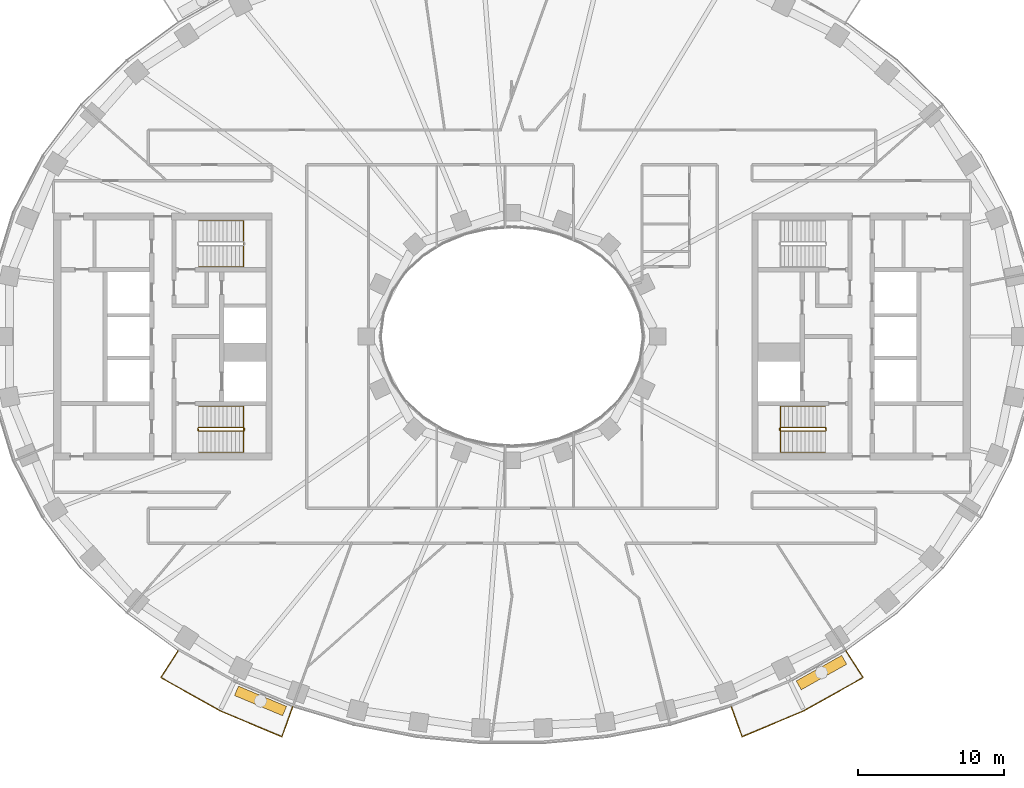
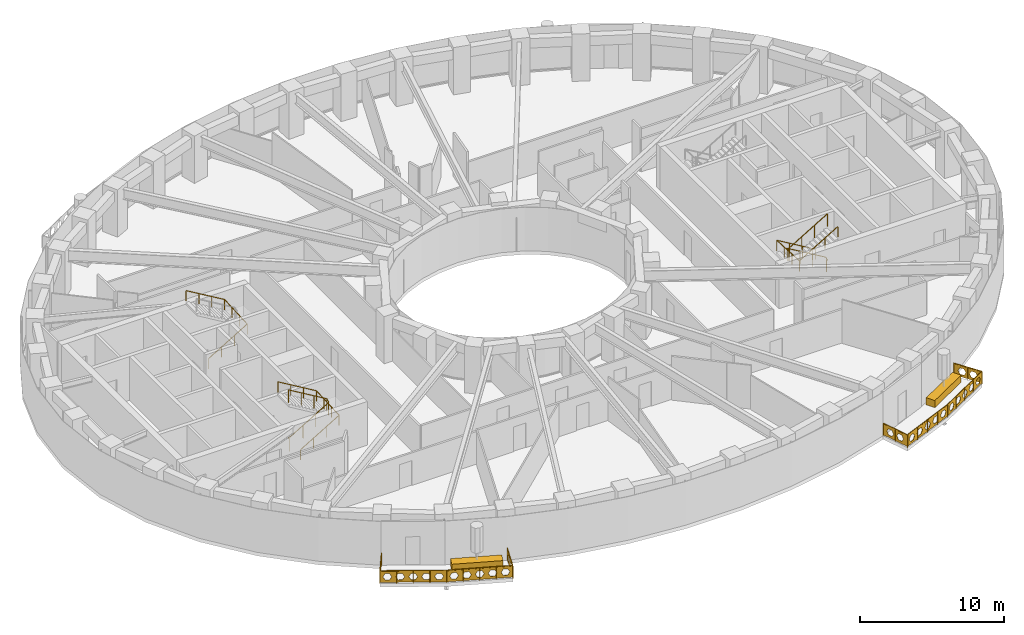
# One storey, part 13 of 15: 7 railings, 2 coverings.
"""IFC4 building model written with IfcOpenShell, lengths in metres."""

from ifc_helpers import new_model, si_unit, direction, frame, origin, origin_2d, place, context, subcontext, project, spatial, polyline, rectangle, outline, extrude, material, type_object, element, save


model = new_model("IFC4")

# Units and contexts
model_context = context("Model", 3, precision=1e-05, world=origin(), true_north=direction((0.0, 1.0)))
body_context = subcontext(model_context, "Body", "Model", "MODEL_VIEW")
ifc_project = project(units=[si_unit("LENGTHUNIT", "METRE"), si_unit("AREAUNIT", "SQUARE_METRE"), si_unit("VOLUMEUNIT", "CUBIC_METRE"), si_unit("PLANEANGLEUNIT", "RADIAN"), si_unit("MASSUNIT", "GRAM", prefix="KILO")], contexts=[model_context])

# Site, building, storey
site_placement = place(None, origin())
site = spatial("IfcSite", under=ifc_project, at=site_placement, CompositionType="ELEMENT")
building_placement = place(site_placement, origin())
building = spatial("IfcBuilding", under=site, at=building_placement, Name="Noorbagh Ring Tower", CompositionType="ELEMENT")
storey_placement = place(building_placement, frame((0.0, 0.0, 128.0)))
storey = spatial("IfcBuildingStorey", under=building, at=storey_placement, Name="L29", CompositionType="ELEMENT", Elevation=128.0)

# Railings
ifc_material_1 = material(Name="Stainless steel", Category="steel")
railing_type_1 = type_object("IfcRailingType", Name="CORE-STAIR-GUARD", PredefinedType="GUARDRAIL", material=ifc_material_1)
railing_1_placement = place(storey_placement, frame((-21.580078125, -6.449951171875, 0.0)))
element("IfcRailing", 1, at=railing_1_placement, inside=storey, type_object=railing_type_1, Name="L29 ST2 stair guard", PredefinedType="GUARDRAIL", context=body_context, shape_type="SweptSolid", body=[
    extrude(rectangle(XDim=0.048095703125, YDim=0.048095703125, at=origin_2d()), frame((0.0, 0.0, 1.076171875), z_axis=(0.0, 1.0, 0.0), x_axis=(-1.0, 0.0, 0.0)), (0.0, 0.0, 1.0), 0.14990234375),
    extrude(rectangle(XDim=0.048095703125, YDim=0.048095703125, at=origin_2d()), frame((0.0, 0.14990234375, 1.076171875), z_axis=(0.188775798145, -0.754182335027, 0.628945707965), x_axis=(0.970072785993, 0.242814311512, 0.0)), (0.0, 0.0, 1.0), 0.26513671875),
    extrude(rectangle(XDim=0.048095703125, YDim=0.048095703125, at=origin_2d()), frame((0.050048828125, -0.050048828125, 1.24267578125), z_axis=(0.859308565015, 0.0, 0.511457515432), x_axis=(0.0, 1.0, 0.0)), (0.0, 0.0, 1.0), 3.58447265625),
    extrude(rectangle(XDim=0.048095703125, YDim=0.048095703125, at=origin_2d()), frame((3.130126953125, -0.050048828125, 3.076171875), z_axis=(0.707106781187, 0.707106781187, 0.0), x_axis=(-0.707106781187, 0.707106781187, 0.0)), (0.0, 0.0, 1.0), 0.07080078125),
    extrude(rectangle(XDim=0.048095703125, YDim=0.048095703125, at=origin_2d()), frame((3.18017578125, 0.0, 3.076171875), z_axis=(0.0, 1.0, 0.0), x_axis=(-1.0, 0.0, 0.0)), (0.0, 0.0, 1.0), 0.14990234375),
    extrude(rectangle(XDim=0.048095703125, YDim=0.048095703125, at=origin_2d()), frame((3.18017578125, 0.14990234375, 3.076171875), z_axis=(-0.27628659633, 0.27628659633, 0.920506074601), x_axis=(-0.707106781187, -0.707106781187, 0.0)), (0.0, 0.0, 1.0), 0.18115234375),
    extrude(rectangle(XDim=0.048095703125, YDim=0.048095703125, at=origin_2d()), frame((3.130126953125, 0.199951171875, 3.24267578125), z_axis=(-0.859308565015, 0.0, 0.511457515432), x_axis=(0.0, -1.0, 0.0)), (0.0, 0.0, 1.0), 3.58447265625),
    extrude(rectangle(XDim=0.0419921875, YDim=0.0419921875, at=origin_2d()), origin(), (0.0, 0.0, 1.0), 1.052001953125),
    extrude(rectangle(XDim=0.0419921875, YDim=0.0419921875, at=origin_2d()), frame((1.07666015625, -0.050048828125, 0.77783203125)), (0.0, 0.0, 1.0), 1.052001953125),
    extrude(rectangle(XDim=0.0419921875, YDim=0.0419921875, at=origin_2d()), frame((2.103515625, -0.050048828125, 1.388916015625)), (0.0, 0.0, 1.0), 1.052001953125),
    extrude(rectangle(XDim=0.0419921875, YDim=0.0419921875, at=origin_2d()), frame((3.130126953125, -0.050048828125, 2.0)), (0.0, 0.0, 1.0), 1.052001953125),
    extrude(rectangle(XDim=0.0419921875, YDim=0.0419921875, at=origin_2d()), frame((3.130126953125, 0.199951171875, 2.166748046875)), (0.0, 0.0, 1.0), 1.052001953125),
    extrude(rectangle(XDim=0.0419921875, YDim=0.0419921875, at=origin_2d()), frame((2.103515625, 0.199951171875, 2.77783203125)), (0.0, 0.0, 1.0), 1.052001953125),
    extrude(rectangle(XDim=0.0419921875, YDim=0.0419921875, at=origin_2d()), frame((1.07666015625, 0.199951171875, 3.388916015625)), (0.0, 0.0, 1.0), 1.052001953125),
    extrude(rectangle(XDim=0.0419921875, YDim=0.0419921875, at=origin_2d()), frame((0.050048828125, 0.199951171875, 4.0)), (0.0, 0.0, 1.0), 1.052001953125),
])
railing_2_placement = place(storey_placement, frame((21.580078125, -6.300048828125, 0.0)))
element("IfcRailing", 2, at=railing_2_placement, inside=storey, type_object=railing_type_1, Name="L29 ST4 stair guard", PredefinedType="GUARDRAIL", context=body_context, shape_type="SweptSolid", body=[
    extrude(rectangle(XDim=0.048095703125, YDim=0.048095703125, at=origin_2d()), frame((0.0, 0.0, 1.076171875), z_axis=(0.0, -1.0, 0.0), x_axis=(1.0, 0.0, 0.0)), (0.0, 0.0, 1.0), 0.14990234375),
    extrude(rectangle(XDim=0.048095703125, YDim=0.048095703125, at=origin_2d()), frame((0.0, -0.14990234375, 1.076171875), z_axis=(-0.188775798145, 0.754182335027, 0.628945707965), x_axis=(-0.970072785993, -0.242814311512, 0.0)), (0.0, 0.0, 1.0), 0.26513671875),
    extrude(rectangle(XDim=0.048095703125, YDim=0.048095703125, at=origin_2d()), frame((-0.050048828125, 0.050048828125, 1.24267578125), z_axis=(-0.859308565015, 0.0, 0.511457515432), x_axis=(0.0, -1.0, 0.0)), (0.0, 0.0, 1.0), 3.58447265625),
    extrude(rectangle(XDim=0.048095703125, YDim=0.048095703125, at=origin_2d()), frame((-3.130126953125, 0.050048828125, 3.076171875), z_axis=(-0.707106781187, -0.707106781187, 0.0), x_axis=(0.707106781187, -0.707106781187, 0.0)), (0.0, 0.0, 1.0), 0.07080078125),
    extrude(rectangle(XDim=0.048095703125, YDim=0.048095703125, at=origin_2d()), frame((-3.18017578125, 0.0, 3.076171875), z_axis=(0.0, -1.0, 0.0), x_axis=(1.0, 0.0, 0.0)), (0.0, 0.0, 1.0), 0.14990234375),
    extrude(rectangle(XDim=0.048095703125, YDim=0.048095703125, at=origin_2d()), frame((-3.18017578125, -0.14990234375, 3.076171875), z_axis=(0.27628659633, -0.27628659633, 0.920506074601), x_axis=(0.707106781187, 0.707106781187, 0.0)), (0.0, 0.0, 1.0), 0.18115234375),
    extrude(rectangle(XDim=0.048095703125, YDim=0.048095703125, at=origin_2d()), frame((-3.130126953125, -0.199951171875, 3.24267578125), z_axis=(0.859308565015, 0.0, 0.511457515432), x_axis=(0.0, 1.0, 0.0)), (0.0, 0.0, 1.0), 3.58447265625),
    extrude(rectangle(XDim=0.0419921875, YDim=0.0419921875, at=origin_2d()), origin(), (0.0, 0.0, 1.0), 1.052001953125),
    extrude(rectangle(XDim=0.0419921875, YDim=0.0419921875, at=origin_2d()), frame((-1.07666015625, 0.050048828125, 0.77783203125)), (0.0, 0.0, 1.0), 1.052001953125),
    extrude(rectangle(XDim=0.0419921875, YDim=0.0419921875, at=origin_2d()), frame((-2.103515625, 0.050048828125, 1.388916015625)), (0.0, 0.0, 1.0), 1.052001953125),
    extrude(rectangle(XDim=0.0419921875, YDim=0.0419921875, at=origin_2d()), frame((-3.130126953125, 0.050048828125, 2.0)), (0.0, 0.0, 1.0), 1.052001953125),
    extrude(rectangle(XDim=0.0419921875, YDim=0.0419921875, at=origin_2d()), frame((-3.130126953125, -0.199951171875, 2.166748046875)), (0.0, 0.0, 1.0), 1.052001953125),
    extrude(rectangle(XDim=0.0419921875, YDim=0.0419921875, at=origin_2d()), frame((-2.103515625, -0.199951171875, 2.77783203125)), (0.0, 0.0, 1.0), 1.052001953125),
    extrude(rectangle(XDim=0.0419921875, YDim=0.0419921875, at=origin_2d()), frame((-1.07666015625, -0.199951171875, 3.388916015625)), (0.0, 0.0, 1.0), 1.052001953125),
    extrude(rectangle(XDim=0.0419921875, YDim=0.0419921875, at=origin_2d()), frame((-0.050048828125, -0.199951171875, 4.0)), (0.0, 0.0, 1.0), 1.052001953125),
])
ifc_material_2 = material(Name="Stainless steel", Category="steel")
railing_type_2 = type_object("IfcRailingType", Name="CORE-STAIR-HANDRAIL", PredefinedType="HANDRAIL", material=ifc_material_2)
railing_3_placement = place(storey_placement, frame((-21.530029296875, 4.800048828125, 0.166748046875)))
element("IfcRailing", 3, at=railing_3_placement, inside=storey, type_object=railing_type_2, Name="L29 ST1 stair handrail", PredefinedType="HANDRAIL", context=body_context, shape_type="SweptSolid", body=[
    extrude(rectangle(XDim=0.048095703125, YDim=0.048095703125, at=origin_2d()), frame((0.0, 0.0, 0.8759765625), z_axis=(0.859308565015, 0.0, 0.511457515432), x_axis=(0.0, 1.0, 0.0)), (0.0, 0.0, 1.0), 3.58447265625),
    extrude(rectangle(XDim=0.048095703125, YDim=0.048095703125, at=origin_2d()), frame((3.080078125, 0.0, 2.708984375), z_axis=(0.0, 0.998601747152, 0.052863509014), x_axis=(-1.0, 0.0, 0.0)), (0.0, 0.0, 1.0), 3.154296875),
    extrude(rectangle(XDim=0.048095703125, YDim=0.048095703125, at=origin_2d()), frame((3.080078125, 3.14990234375, 2.8759765625), z_axis=(-0.859308565015, 0.0, 0.511457515432), x_axis=(0.0, -1.0, 0.0)), (0.0, 0.0, 1.0), 3.58447265625),
    extrude(rectangle(XDim=0.0419921875, YDim=0.0419921875, at=origin_2d()), origin(), (0.0, 0.0, 1.0), 0.851806640625),
    extrude(rectangle(XDim=0.0419921875, YDim=0.0419921875, at=origin_2d()), frame((1.026611328125, 0.0, 0.611083984375)), (0.0, 0.0, 1.0), 0.851806640625),
    extrude(rectangle(XDim=0.0419921875, YDim=0.0419921875, at=origin_2d()), frame((2.053466796875, 0.0, 1.22216796875)), (0.0, 0.0, 1.0), 0.851806640625),
    extrude(rectangle(XDim=0.0419921875, YDim=0.0419921875, at=origin_2d()), frame((3.080078125, 0.0, 1.833251953125)), (0.0, 0.0, 1.0), 0.851806640625),
    extrude(rectangle(XDim=0.0419921875, YDim=0.0419921875, at=origin_2d()), frame((3.080078125, 1.050048828125, 1.888916015625)), (0.0, 0.0, 1.0), 0.851806640625),
    extrude(rectangle(XDim=0.0419921875, YDim=0.0419921875, at=origin_2d()), frame((3.080078125, 2.099853515625, 1.9443359375)), (0.0, 0.0, 1.0), 0.851806640625),
    extrude(rectangle(XDim=0.0419921875, YDim=0.0419921875, at=origin_2d()), frame((3.080078125, 3.14990234375, 2.0)), (0.0, 0.0, 1.0), 0.851806640625),
    extrude(rectangle(XDim=0.0419921875, YDim=0.0419921875, at=origin_2d()), frame((2.053466796875, 3.14990234375, 2.611083984375)), (0.0, 0.0, 1.0), 0.851806640625),
    extrude(rectangle(XDim=0.0419921875, YDim=0.0419921875, at=origin_2d()), frame((1.026611328125, 3.14990234375, 3.22216796875)), (0.0, 0.0, 1.0), 0.851806640625),
    extrude(rectangle(XDim=0.0419921875, YDim=0.0419921875, at=origin_2d()), frame((0.0, 3.14990234375, 3.833251953125)), (0.0, 0.0, 1.0), 0.851806640625),
])
railing_4_placement = place(storey_placement, frame((-21.530029296875, -7.949951171875, 0.166748046875)))
element("IfcRailing", 4, at=railing_4_placement, inside=storey, type_object=railing_type_2, Name="L29 ST2 stair handrail", PredefinedType="HANDRAIL", context=body_context, shape_type="SweptSolid", body=[
    extrude(rectangle(XDim=0.048095703125, YDim=0.048095703125, at=origin_2d()), frame((0.0, 0.0, 0.8759765625), z_axis=(0.859308565015, 0.0, 0.511457515432), x_axis=(0.0, 1.0, 0.0)), (0.0, 0.0, 1.0), 3.58447265625),
    extrude(rectangle(XDim=0.048095703125, YDim=0.048095703125, at=origin_2d()), frame((3.080078125, 0.0, 2.708984375), z_axis=(0.0, 0.998601747152, 0.052863509014), x_axis=(-1.0, 0.0, 0.0)), (0.0, 0.0, 1.0), 3.154296875),
    extrude(rectangle(XDim=0.048095703125, YDim=0.048095703125, at=origin_2d()), frame((3.080078125, 3.14990234375, 2.8759765625), z_axis=(-0.859308565015, 0.0, 0.511457515432), x_axis=(0.0, -1.0, 0.0)), (0.0, 0.0, 1.0), 3.58447265625),
    extrude(rectangle(XDim=0.0419921875, YDim=0.0419921875, at=origin_2d()), origin(), (0.0, 0.0, 1.0), 0.851806640625),
    extrude(rectangle(XDim=0.0419921875, YDim=0.0419921875, at=origin_2d()), frame((1.026611328125, 0.0, 0.611083984375)), (0.0, 0.0, 1.0), 0.851806640625),
    extrude(rectangle(XDim=0.0419921875, YDim=0.0419921875, at=origin_2d()), frame((2.053466796875, 0.0, 1.22216796875)), (0.0, 0.0, 1.0), 0.851806640625),
    extrude(rectangle(XDim=0.0419921875, YDim=0.0419921875, at=origin_2d()), frame((3.080078125, 0.0, 1.833251953125)), (0.0, 0.0, 1.0), 0.851806640625),
    extrude(rectangle(XDim=0.0419921875, YDim=0.0419921875, at=origin_2d()), frame((3.080078125, 1.050048828125, 1.888916015625)), (0.0, 0.0, 1.0), 0.851806640625),
    extrude(rectangle(XDim=0.0419921875, YDim=0.0419921875, at=origin_2d()), frame((3.080078125, 2.099853515625, 1.9443359375)), (0.0, 0.0, 1.0), 0.851806640625),
    extrude(rectangle(XDim=0.0419921875, YDim=0.0419921875, at=origin_2d()), frame((3.080078125, 3.14990234375, 2.0)), (0.0, 0.0, 1.0), 0.851806640625),
    extrude(rectangle(XDim=0.0419921875, YDim=0.0419921875, at=origin_2d()), frame((2.053466796875, 3.14990234375, 2.611083984375)), (0.0, 0.0, 1.0), 0.851806640625),
    extrude(rectangle(XDim=0.0419921875, YDim=0.0419921875, at=origin_2d()), frame((1.026611328125, 3.14990234375, 3.22216796875)), (0.0, 0.0, 1.0), 0.851806640625),
    extrude(rectangle(XDim=0.0419921875, YDim=0.0419921875, at=origin_2d()), frame((0.0, 3.14990234375, 3.833251953125)), (0.0, 0.0, 1.0), 0.851806640625),
])
railing_5_placement = place(storey_placement, frame((21.530029296875, -4.800048828125, 0.166748046875)))
element("IfcRailing", 5, at=railing_5_placement, inside=storey, type_object=railing_type_2, Name="L29 ST4 stair handrail", PredefinedType="HANDRAIL", context=body_context, shape_type="SweptSolid", body=[
    extrude(rectangle(XDim=0.048095703125, YDim=0.048095703125, at=origin_2d()), frame((0.0, 0.0, 0.8759765625), z_axis=(-0.859308565015, 0.0, 0.511457515432), x_axis=(0.0, -1.0, 0.0)), (0.0, 0.0, 1.0), 3.58447265625),
    extrude(rectangle(XDim=0.048095703125, YDim=0.048095703125, at=origin_2d()), frame((-3.080078125, 0.0, 2.708984375), z_axis=(0.0, -0.998601747152, 0.052863509014), x_axis=(1.0, 0.0, 0.0)), (0.0, 0.0, 1.0), 3.154296875),
    extrude(rectangle(XDim=0.048095703125, YDim=0.048095703125, at=origin_2d()), frame((-3.080078125, -3.14990234375, 2.8759765625), z_axis=(0.859308565015, 0.0, 0.511457515432), x_axis=(0.0, 1.0, 0.0)), (0.0, 0.0, 1.0), 3.58447265625),
    extrude(rectangle(XDim=0.0419921875, YDim=0.0419921875, at=origin_2d()), origin(), (0.0, 0.0, 1.0), 0.851806640625),
    extrude(rectangle(XDim=0.0419921875, YDim=0.0419921875, at=origin_2d()), frame((-1.026611328125, 0.0, 0.611083984375)), (0.0, 0.0, 1.0), 0.851806640625),
    extrude(rectangle(XDim=0.0419921875, YDim=0.0419921875, at=origin_2d()), frame((-2.053466796875, 0.0, 1.22216796875)), (0.0, 0.0, 1.0), 0.851806640625),
    extrude(rectangle(XDim=0.0419921875, YDim=0.0419921875, at=origin_2d()), frame((-3.080078125, 0.0, 1.833251953125)), (0.0, 0.0, 1.0), 0.851806640625),
    extrude(rectangle(XDim=0.0419921875, YDim=0.0419921875, at=origin_2d()), frame((-3.080078125, -1.050048828125, 1.888916015625)), (0.0, 0.0, 1.0), 0.851806640625),
    extrude(rectangle(XDim=0.0419921875, YDim=0.0419921875, at=origin_2d()), frame((-3.080078125, -2.099853515625, 1.9443359375)), (0.0, 0.0, 1.0), 0.851806640625),
    extrude(rectangle(XDim=0.0419921875, YDim=0.0419921875, at=origin_2d()), frame((-3.080078125, -3.14990234375, 2.0)), (0.0, 0.0, 1.0), 0.851806640625),
    extrude(rectangle(XDim=0.0419921875, YDim=0.0419921875, at=origin_2d()), frame((-2.053466796875, -3.14990234375, 2.611083984375)), (0.0, 0.0, 1.0), 0.851806640625),
    extrude(rectangle(XDim=0.0419921875, YDim=0.0419921875, at=origin_2d()), frame((-1.026611328125, -3.14990234375, 3.22216796875)), (0.0, 0.0, 1.0), 0.851806640625),
    extrude(rectangle(XDim=0.0419921875, YDim=0.0419921875, at=origin_2d()), frame((0.0, -3.14990234375, 3.833251953125)), (0.0, 0.0, 1.0), 0.851806640625),
])
ifc_material_3 = material(Name="Steel S275 black powder-coated", Category="steel")
railing_type_3 = type_object("IfcRailingType", Name="ENV-GUARD", PredefinedType="GUARDRAIL", material=ifc_material_3)
railing_6_placement = place(storey_placement, frame((-22.9326171875, -21.583740234375, 0.0)))
element("IfcRailing", 6, at=railing_6_placement, inside=storey, type_object=railing_type_3, Name="Balcony guard BS02", PredefinedType="GUARDRAIL", context=body_context, shape_type="SweptSolid", body=[
    extrude(rectangle(XDim=0.048095703125, YDim=0.048095703125, at=origin_2d()), frame((0.0, 0.0, 1.076171875), z_axis=(-0.542268136821, -0.840205491406, 0.0), x_axis=(0.840205491406, -0.542268136821, 0.0)), (0.0, 0.0, 1.0), 2.204345703125),
    extrude(rectangle(XDim=0.048095703125, YDim=0.048095703125, at=origin_2d()), frame((-1.1953125, -1.85205078125, 1.076171875), z_axis=(0.872052247658, -0.489412788303, 0.0), x_axis=(0.489412788303, 0.872052247658, 0.0)), (0.0, 0.0, 1.0), 4.646240234375),
    extrude(rectangle(XDim=0.048095703125, YDim=0.048095703125, at=origin_2d()), frame((2.8564453125, -4.1259765625, 1.076171875), z_axis=(0.921809087722, -0.387644174203, 0.0), x_axis=(0.387644174203, 0.921809087722, 0.0)), (0.0, 0.0, 1.0), 4.627197265625),
    extrude(rectangle(XDim=0.048095703125, YDim=0.048095703125, at=origin_2d()), frame((7.121826171875, -5.919677734375, 1.076171875), z_axis=(0.338350546839, 0.941020141896, 0.0), x_axis=(-0.941020141896, 0.338350546839, 0.0)), (0.0, 0.0, 1.0), 2.202880859375),
    extrude(rectangle(XDim=0.0419921875, YDim=0.0419921875, at=origin_2d()), origin(), (0.0, 0.0, 1.0), 1.052001953125),
    extrude(rectangle(XDim=0.0419921875, YDim=0.0419921875, at=origin_2d()), frame((-0.59765625, -0.926025390625, 0.0)), (0.0, 0.0, 1.0), 1.052001953125),
    extrude(rectangle(XDim=0.0419921875, YDim=0.0419921875, at=origin_2d()), frame((-1.1953125, -1.85205078125, 0.0)), (0.0, 0.0, 1.0), 1.052001953125),
    extrude(rectangle(XDim=0.0419921875, YDim=0.0419921875, at=origin_2d()), frame((-0.182373046875, -2.42041015625, 0.0)), (0.0, 0.0, 1.0), 1.052001953125),
    extrude(rectangle(XDim=0.0419921875, YDim=0.0419921875, at=origin_2d()), frame((0.83056640625, -2.989013671875, 0.0)), (0.0, 0.0, 1.0), 1.052001953125),
    extrude(rectangle(XDim=0.0419921875, YDim=0.0419921875, at=origin_2d()), frame((1.843505859375, -3.5576171875, 0.0)), (0.0, 0.0, 1.0), 1.052001953125),
    extrude(rectangle(XDim=0.0419921875, YDim=0.0419921875, at=origin_2d()), frame((2.8564453125, -4.1259765625, 0.0)), (0.0, 0.0, 1.0), 1.052001953125),
    extrude(rectangle(XDim=0.0419921875, YDim=0.0419921875, at=origin_2d()), frame((3.9228515625, -4.574462890625, 0.0)), (0.0, 0.0, 1.0), 1.052001953125),
    extrude(rectangle(XDim=0.0419921875, YDim=0.0419921875, at=origin_2d()), frame((4.9892578125, -5.02294921875, 0.0)), (0.0, 0.0, 1.0), 1.052001953125),
    extrude(rectangle(XDim=0.0419921875, YDim=0.0419921875, at=origin_2d()), frame((6.055419921875, -5.47119140625, 0.0)), (0.0, 0.0, 1.0), 1.052001953125),
    extrude(rectangle(XDim=0.0419921875, YDim=0.0419921875, at=origin_2d()), frame((7.121826171875, -5.919677734375, 0.0)), (0.0, 0.0, 1.0), 1.052001953125),
    extrude(rectangle(XDim=0.0419921875, YDim=0.0419921875, at=origin_2d()), frame((7.49462890625, -4.88330078125, 0.0)), (0.0, 0.0, 1.0), 1.052001953125),
    extrude(rectangle(XDim=0.0419921875, YDim=0.0419921875, at=origin_2d()), frame((7.8671875, -3.8466796875, 0.0)), (0.0, 0.0, 1.0), 1.052001953125),
    extrude(outline(polyline([(0.0, 0.10009765625), (2.204345703125, 0.10009765625), (2.204345703125, 1.031982421875), (0.0, 1.031982421875), (0.0, 0.10009765625)]), holes=[polyline([(0.962158203125, 0.56591796875), (0.80712890625, 0.83447265625), (0.4970703125, 0.83447265625), (0.342041015625, 0.56591796875), (0.4970703125, 0.297607421875), (0.80712890625, 0.297607421875), (0.962158203125, 0.56591796875)]), polyline([(1.862060546875, 0.56591796875), (1.70703125, 0.83447265625), (1.397216796875, 0.83447265625), (1.2421875, 0.56591796875), (1.397216796875, 0.297607421875), (1.70703125, 0.297607421875), (1.862060546875, 0.56591796875)])]), frame((0.00830078125, -0.00537109375, 0.0), z_axis=(-0.840205491406, 0.542268136821, 0.0), x_axis=(-0.542268136821, -0.840205491406, 0.0)), (0.0, 0.0, 1.0), 0.02001953125),
    extrude(outline(polyline([(0.0, 0.10009765625), (4.646240234375, 0.10009765625), (4.646240234375, 1.031982421875), (0.0, 1.031982421875), (0.0, 0.10009765625)]), holes=[polyline([(0.8330078125, 0.56591796875), (0.67822265625, 0.83447265625), (0.3681640625, 0.83447265625), (0.213134765625, 0.56591796875), (0.3681640625, 0.297607421875), (0.67822265625, 0.297607421875), (0.8330078125, 0.56591796875)]), polyline([(1.733154296875, 0.56591796875), (1.578125, 0.83447265625), (1.26806640625, 0.83447265625), (1.113037109375, 0.56591796875), (1.26806640625, 0.297607421875), (1.578125, 0.297607421875), (1.733154296875, 0.56591796875)]), polyline([(2.633056640625, 0.56591796875), (2.47802734375, 0.83447265625), (2.168212890625, 0.83447265625), (2.01318359375, 0.56591796875), (2.168212890625, 0.297607421875), (2.47802734375, 0.297607421875), (2.633056640625, 0.56591796875)]), polyline([(3.533203125, 0.56591796875), (3.378173828125, 0.83447265625), (3.068115234375, 0.83447265625), (2.9130859375, 0.56591796875), (3.068115234375, 0.297607421875), (3.378173828125, 0.297607421875), (3.533203125, 0.56591796875)]), polyline([(4.43310546875, 0.56591796875), (4.278076171875, 0.83447265625), (3.968017578125, 0.83447265625), (3.813232421875, 0.56591796875), (3.968017578125, 0.297607421875), (4.278076171875, 0.297607421875), (4.43310546875, 0.56591796875)])]), frame((-1.1904296875, -1.84326171875, 0.0), z_axis=(-0.489412788303, -0.872052247658, 0.0), x_axis=(0.872052247658, -0.489412788303, 0.0)), (0.0, 0.0, 1.0), 0.02001953125),
    extrude(outline(polyline([(0.0, 0.10009765625), (4.627197265625, 0.10009765625), (4.627197265625, 1.031982421875), (0.0, 1.031982421875), (0.0, 0.10009765625)]), holes=[polyline([(0.823486328125, 0.56591796875), (0.668701171875, 0.83447265625), (0.358642578125, 0.83447265625), (0.20361328125, 0.56591796875), (0.358642578125, 0.297607421875), (0.668701171875, 0.297607421875), (0.823486328125, 0.56591796875)]), polyline([(1.7236328125, 0.56591796875), (1.568603515625, 0.83447265625), (1.258544921875, 0.83447265625), (1.103515625, 0.56591796875), (1.258544921875, 0.297607421875), (1.568603515625, 0.297607421875), (1.7236328125, 0.56591796875)]), polyline([(2.62353515625, 0.56591796875), (2.468505859375, 0.83447265625), (2.15869140625, 0.83447265625), (2.003662109375, 0.56591796875), (2.15869140625, 0.297607421875), (2.468505859375, 0.297607421875), (2.62353515625, 0.56591796875)]), polyline([(3.523681640625, 0.56591796875), (3.36865234375, 0.83447265625), (3.05859375, 0.83447265625), (2.903564453125, 0.56591796875), (3.05859375, 0.297607421875), (3.36865234375, 0.297607421875), (3.523681640625, 0.56591796875)]), polyline([(4.423583984375, 0.56591796875), (4.2685546875, 0.83447265625), (3.95849609375, 0.83447265625), (3.8037109375, 0.56591796875), (3.95849609375, 0.297607421875), (4.2685546875, 0.297607421875), (4.423583984375, 0.56591796875)])]), frame((2.8603515625, -4.11669921875, 0.0), z_axis=(-0.387644174203, -0.921809087722, 0.0), x_axis=(0.921809087722, -0.387644174203, 0.0)), (0.0, 0.0, 1.0), 0.02001953125),
    extrude(outline(polyline([(0.0, 0.10009765625), (2.202880859375, 0.10009765625), (2.202880859375, 1.031982421875), (0.0, 1.031982421875), (0.0, 0.10009765625)]), holes=[polyline([(0.96142578125, 0.56591796875), (0.806396484375, 0.83447265625), (0.49658203125, 0.83447265625), (0.341552734375, 0.56591796875), (0.49658203125, 0.297607421875), (0.806396484375, 0.297607421875), (0.96142578125, 0.56591796875)]), polyline([(1.861572265625, 0.56591796875), (1.70654296875, 0.83447265625), (1.396484375, 0.83447265625), (1.241455078125, 0.56591796875), (1.396484375, 0.297607421875), (1.70654296875, 0.297607421875), (1.861572265625, 0.56591796875)])]), frame((7.1123046875, -5.916259765625, 0.0), z_axis=(0.941020141896, -0.338350546839, 0.0), x_axis=(0.338350546839, 0.941020141896, 0.0)), (0.0, 0.0, 1.0), 0.02001953125),
])
railing_7_placement = place(storey_placement, frame((15.0654296875, -25.430419921875, 0.0)))
element("IfcRailing", 7, at=railing_7_placement, inside=storey, type_object=railing_type_3, Name="Balcony guard BS05", PredefinedType="GUARDRAIL", context=body_context, shape_type="SweptSolid", body=[
    extrude(rectangle(XDim=0.048095703125, YDim=0.048095703125, at=origin_2d()), frame((0.0, 0.0, 1.076171875), z_axis=(0.338350546839, -0.941020141896, 0.0), x_axis=(0.941020141896, 0.338350546839, 0.0)), (0.0, 0.0, 1.0), 2.202880859375),
    extrude(rectangle(XDim=0.048095703125, YDim=0.048095703125, at=origin_2d()), frame((0.745361328125, -2.072998046875, 1.076171875), z_axis=(0.921809087722, 0.387644174203, 0.0), x_axis=(-0.387644174203, 0.921809087722, 0.0)), (0.0, 0.0, 1.0), 4.627197265625),
    extrude(rectangle(XDim=0.048095703125, YDim=0.048095703125, at=origin_2d()), frame((5.0107421875, -0.279296875, 1.076171875), z_axis=(0.872052247658, 0.489412788303, 0.0), x_axis=(-0.489412788303, 0.872052247658, 0.0)), (0.0, 0.0, 1.0), 4.646240234375),
    extrude(rectangle(XDim=0.048095703125, YDim=0.048095703125, at=origin_2d()), frame((9.0625, 1.99462890625, 1.076171875), z_axis=(-0.542268136821, 0.840205491406, 0.0), x_axis=(-0.840205491406, -0.542268136821, 0.0)), (0.0, 0.0, 1.0), 2.204345703125),
    extrude(rectangle(XDim=0.0419921875, YDim=0.0419921875, at=origin_2d()), origin(), (0.0, 0.0, 1.0), 1.052001953125),
    extrude(rectangle(XDim=0.0419921875, YDim=0.0419921875, at=origin_2d()), frame((0.37255859375, -1.03662109375, 0.0)), (0.0, 0.0, 1.0), 1.052001953125),
    extrude(rectangle(XDim=0.0419921875, YDim=0.0419921875, at=origin_2d()), frame((0.745361328125, -2.072998046875, 0.0)), (0.0, 0.0, 1.0), 1.052001953125),
    extrude(rectangle(XDim=0.0419921875, YDim=0.0419921875, at=origin_2d()), frame((1.811767578125, -1.62451171875, 0.0)), (0.0, 0.0, 1.0), 1.052001953125),
    extrude(rectangle(XDim=0.0419921875, YDim=0.0419921875, at=origin_2d()), frame((2.8779296875, -1.17626953125, 0.0)), (0.0, 0.0, 1.0), 1.052001953125),
    extrude(rectangle(XDim=0.0419921875, YDim=0.0419921875, at=origin_2d()), frame((3.9443359375, -0.727783203125, 0.0)), (0.0, 0.0, 1.0), 1.052001953125),
    extrude(rectangle(XDim=0.0419921875, YDim=0.0419921875, at=origin_2d()), frame((5.0107421875, -0.279296875, 0.0)), (0.0, 0.0, 1.0), 1.052001953125),
    extrude(rectangle(XDim=0.0419921875, YDim=0.0419921875, at=origin_2d()), frame((6.023681640625, 0.2890625, 0.0)), (0.0, 0.0, 1.0), 1.052001953125),
    extrude(rectangle(XDim=0.0419921875, YDim=0.0419921875, at=origin_2d()), frame((7.03662109375, 0.857666015625, 0.0)), (0.0, 0.0, 1.0), 1.052001953125),
    extrude(rectangle(XDim=0.0419921875, YDim=0.0419921875, at=origin_2d()), frame((8.049560546875, 1.42626953125, 0.0)), (0.0, 0.0, 1.0), 1.052001953125),
    extrude(rectangle(XDim=0.0419921875, YDim=0.0419921875, at=origin_2d()), frame((9.0625, 1.99462890625, 0.0)), (0.0, 0.0, 1.0), 1.052001953125),
    extrude(rectangle(XDim=0.0419921875, YDim=0.0419921875, at=origin_2d()), frame((8.46484375, 2.920654296875, 0.0)), (0.0, 0.0, 1.0), 1.052001953125),
    extrude(rectangle(XDim=0.0419921875, YDim=0.0419921875, at=origin_2d()), frame((7.8671875, 3.8466796875, 0.0)), (0.0, 0.0, 1.0), 1.052001953125),
    extrude(outline(polyline([(0.0, 0.10009765625), (2.202880859375, 0.10009765625), (2.202880859375, 1.031982421875), (0.0, 1.031982421875), (0.0, 0.10009765625)]), holes=[polyline([(0.96142578125, 0.56591796875), (0.806396484375, 0.83447265625), (0.49658203125, 0.83447265625), (0.341552734375, 0.56591796875), (0.49658203125, 0.297607421875), (0.806396484375, 0.297607421875), (0.96142578125, 0.56591796875)]), polyline([(1.861572265625, 0.56591796875), (1.70654296875, 0.83447265625), (1.396484375, 0.83447265625), (1.241455078125, 0.56591796875), (1.396484375, 0.297607421875), (1.70654296875, 0.297607421875), (1.861572265625, 0.56591796875)])]), frame((0.009521484375, 0.00341796875, 0.0), z_axis=(-0.941020141896, -0.338350546839, 0.0), x_axis=(0.338350546839, -0.941020141896, 0.0)), (0.0, 0.0, 1.0), 0.02001953125),
    extrude(outline(polyline([(0.0, 0.10009765625), (4.627197265625, 0.10009765625), (4.627197265625, 1.031982421875), (0.0, 1.031982421875), (0.0, 0.10009765625)]), holes=[polyline([(0.823486328125, 0.56591796875), (0.668701171875, 0.83447265625), (0.358642578125, 0.83447265625), (0.20361328125, 0.56591796875), (0.358642578125, 0.297607421875), (0.668701171875, 0.297607421875), (0.823486328125, 0.56591796875)]), polyline([(1.7236328125, 0.56591796875), (1.568603515625, 0.83447265625), (1.258544921875, 0.83447265625), (1.103515625, 0.56591796875), (1.258544921875, 0.297607421875), (1.568603515625, 0.297607421875), (1.7236328125, 0.56591796875)]), polyline([(2.62353515625, 0.56591796875), (2.468505859375, 0.83447265625), (2.15869140625, 0.83447265625), (2.003662109375, 0.56591796875), (2.15869140625, 0.297607421875), (2.468505859375, 0.297607421875), (2.62353515625, 0.56591796875)]), polyline([(3.523681640625, 0.56591796875), (3.36865234375, 0.83447265625), (3.05859375, 0.83447265625), (2.903564453125, 0.56591796875), (3.05859375, 0.297607421875), (3.36865234375, 0.297607421875), (3.523681640625, 0.56591796875)]), polyline([(4.423583984375, 0.56591796875), (4.2685546875, 0.83447265625), (3.95849609375, 0.83447265625), (3.8037109375, 0.56591796875), (3.95849609375, 0.297607421875), (4.2685546875, 0.297607421875), (4.423583984375, 0.56591796875)])]), frame((0.741455078125, -2.063720703125, 0.0), z_axis=(0.387644174203, -0.921809087722, 0.0), x_axis=(0.921809087722, 0.387644174203, 0.0)), (0.0, 0.0, 1.0), 0.02001953125),
    extrude(outline(polyline([(0.0, 0.10009765625), (4.646240234375, 0.10009765625), (4.646240234375, 1.031982421875), (0.0, 1.031982421875), (0.0, 0.10009765625)]), holes=[polyline([(0.8330078125, 0.56591796875), (0.67822265625, 0.83447265625), (0.3681640625, 0.83447265625), (0.213134765625, 0.56591796875), (0.3681640625, 0.297607421875), (0.67822265625, 0.297607421875), (0.8330078125, 0.56591796875)]), polyline([(1.733154296875, 0.56591796875), (1.578125, 0.83447265625), (1.26806640625, 0.83447265625), (1.113037109375, 0.56591796875), (1.26806640625, 0.297607421875), (1.578125, 0.297607421875), (1.733154296875, 0.56591796875)]), polyline([(2.633056640625, 0.56591796875), (2.47802734375, 0.83447265625), (2.168212890625, 0.83447265625), (2.01318359375, 0.56591796875), (2.168212890625, 0.297607421875), (2.47802734375, 0.297607421875), (2.633056640625, 0.56591796875)]), polyline([(3.533203125, 0.56591796875), (3.378173828125, 0.83447265625), (3.068115234375, 0.83447265625), (2.9130859375, 0.56591796875), (3.068115234375, 0.297607421875), (3.378173828125, 0.297607421875), (3.533203125, 0.56591796875)]), polyline([(4.43310546875, 0.56591796875), (4.278076171875, 0.83447265625), (3.968017578125, 0.83447265625), (3.813232421875, 0.56591796875), (3.968017578125, 0.297607421875), (4.278076171875, 0.297607421875), (4.43310546875, 0.56591796875)])]), frame((5.005859375, -0.2705078125, 0.0), z_axis=(0.489412788303, -0.872052247658, 0.0), x_axis=(0.872052247658, 0.489412788303, 0.0)), (0.0, 0.0, 1.0), 0.02001953125),
    extrude(outline(polyline([(0.0, 0.10009765625), (2.204345703125, 0.10009765625), (2.204345703125, 1.031982421875), (0.0, 1.031982421875), (0.0, 0.10009765625)]), holes=[polyline([(0.962158203125, 0.56591796875), (0.80712890625, 0.83447265625), (0.4970703125, 0.83447265625), (0.342041015625, 0.56591796875), (0.4970703125, 0.297607421875), (0.80712890625, 0.297607421875), (0.962158203125, 0.56591796875)]), polyline([(1.862060546875, 0.56591796875), (1.70703125, 0.83447265625), (1.397216796875, 0.83447265625), (1.2421875, 0.56591796875), (1.397216796875, 0.297607421875), (1.70703125, 0.297607421875), (1.862060546875, 0.56591796875)])]), frame((9.05419921875, 1.9892578125, 0.0), z_axis=(0.840205491406, 0.542268136821, 0.0), x_axis=(-0.542268136821, 0.840205491406, 0.0)), (0.0, 0.0, 1.0), 0.02001953125),
])

# Coverings
ifc_material_4 = material(Name="Concrete C30/37 planter with soil", Category="concrete")
covering_type = type_object("IfcCoveringType", Name="ENV-PLANTER", PredefinedType="CLADDING", material=ifc_material_4)
covering_1_placement = place(storey_placement, frame((-17.280517578125, -25.041259765625, 0.0), z_axis=(0.0, 0.0, 1.0), x_axis=(0.921811566494, -0.387638279686, 0.0)))
element("IfcCovering", 8, at=covering_1_placement, inside=storey, type_object=covering_type, Name="PLANTER BS02", ObjectType="PLANTER", PredefinedType="CLADDING", context=body_context, shape_type="SweptSolid", body=[
    extrude(rectangle(XDim=3.5859375, YDim=0.699951171875, at=origin_2d()), origin(), (0.0, 0.0, 1.0), 0.60009765625),
])
covering_2_placement = place(storey_placement, frame((21.26513671875, -23.093017578125, 0.0), z_axis=(0.0, 0.0, 1.0), x_axis=(0.872044586249, 0.48942643941, 0.0)))
element("IfcCovering", 9, at=covering_2_placement, inside=storey, type_object=covering_type, Name="PLANTER BS05", ObjectType="PLANTER", PredefinedType="CLADDING", context=body_context, shape_type="SweptSolid", body=[
    extrude(rectangle(XDim=3.58544921875, YDim=0.699951171875, at=origin_2d()), origin(), (0.0, 0.0, 1.0), 0.60009765625),
])

save(model, "model.ifc")
